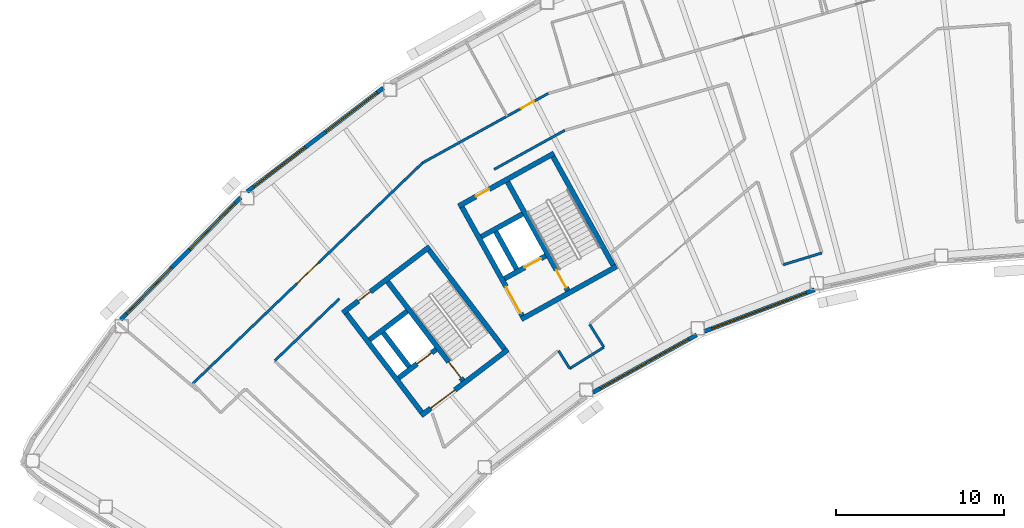
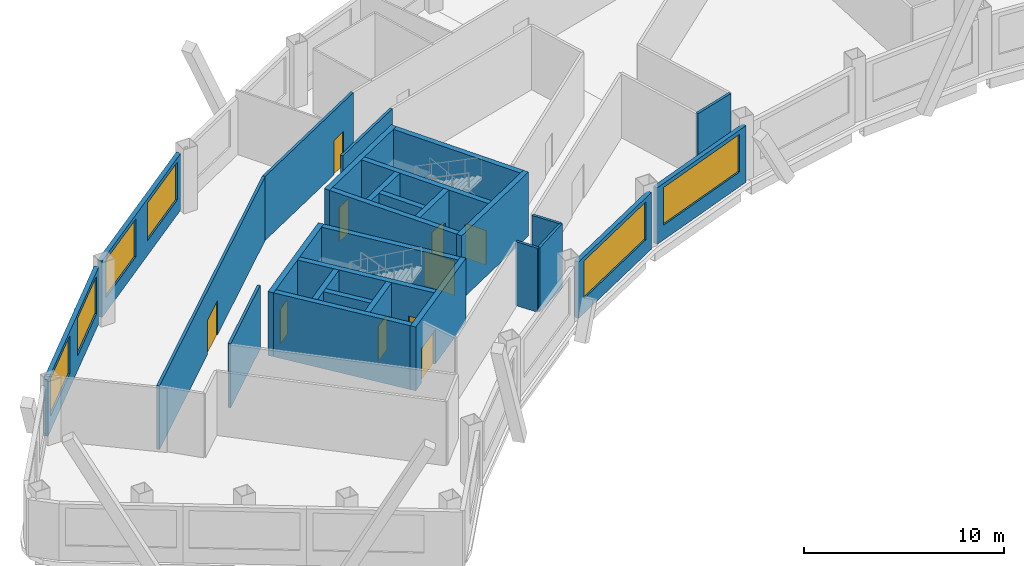
# One storey, part 5 of 12: 28 walls, 10 doors, 6 windows, 16 openings.
"""IFC4 building model written with IfcOpenShell, lengths in metres."""

from ifc_helpers import new_model, si_unit, direction, frame, frame_2d, origin, place, context, subcontext, project, spatial, rectangle, extrude, material, layer, layer_set, type_object, element, fill, save


model = new_model("IFC4")

# Units and contexts
model_context = context("Model", 3, precision=1e-05, world=origin(), true_north=direction((0.0, 1.0)))
body_context = subcontext(model_context, "Body", "Model", "MODEL_VIEW")
ifc_project = project(units=[si_unit("LENGTHUNIT", "METRE"), si_unit("AREAUNIT", "SQUARE_METRE"), si_unit("VOLUMEUNIT", "CUBIC_METRE"), si_unit("PLANEANGLEUNIT", "RADIAN"), si_unit("MASSUNIT", "GRAM", prefix="KILO")], contexts=[model_context])

# Site, building, storey
site_placement = place(None, origin())
site = spatial("IfcSite", under=ifc_project, at=site_placement, CompositionType="ELEMENT")
building_placement = place(site_placement, origin())
building = spatial("IfcBuilding", under=site, at=building_placement, Name="Tuul Gate Civic Tower", CompositionType="ELEMENT")
storey_placement = place(building_placement, frame((0.0, 0.0, 328.10009765625)))
storey = spatial("IfcBuildingStorey", under=building, at=storey_placement, Name="Level 74", CompositionType="ELEMENT", Elevation=328.10009765625)

# Wall, opening, door
ifc_material_1 = material(Name="Concrete C50/60", Category="concrete")
ifc_layer_1 = layer(ifc_material_1, 0.300048828125)
ifc_layer_set_1 = layer_set([ifc_layer_1], Name="Concrete C50/60")
wall_type_1 = type_object("IfcWallType", Name="Core wall C50/60", PredefinedType="SHEAR", material=ifc_layer_set_1)
wall_1_placement = place(storey_placement, frame((-31.19091796875, -13.669677734375, 0.0), z_axis=(0.0, 0.0, 1.0), x_axis=(-0.795606717756, -0.605813461934, 0.0)))
wall_1 = element("IfcWall", 1, at=wall_1_placement, inside=storey, type_object=wall_type_1, Name="Core wall", PredefinedType="SHEAR", context=body_context, shape_type="SweptSolid", body=[
    extrude(rectangle(XDim=6.5, YDim=0.300048828125, at=frame_2d((3.25, 0.0))), origin(), (0.0, 0.0, 1.0), 3.89990234375),
])
opening_1_placement = place(wall_1_placement, frame((3.97509765625, 0.0, 0.0)))
opening_1 = element("IfcOpeningElement", 2, at=opening_1_placement, cuts=wall_1, Name="Opening LB-W1-LOBBY-1", PredefinedType="OPENING", context=body_context, shape_type="SweptSolid", body=[
    extrude(rectangle(XDim=1.800048828125, YDim=2.10009765625, at=frame_2d((0.89990234375, 1.050048828125))), frame((0.0, 0.16015625, 0.0), z_axis=(0.0, -1.0, 0.0), x_axis=(1.0, 0.0, 0.0)), (0.0, 0.0, 1.0), 0.320068359375),
])
ifc_material_2 = material(Name="Steel", Category="steel")
door_type_1 = type_object("IfcDoorType", Name="Lobby door", OperationType="DOUBLE_DOOR_SINGLE_SWING", PredefinedType="DOOR", material=ifc_material_2)
door_1_placement = place(opening_1_placement, origin())
door_1 = element("IfcDoor", 3, at=door_1_placement, inside=storey, type_object=door_type_1, Name="Lobby door W1-LOBBY", OperationType="DOUBLE_DOOR_SINGLE_SWING", OverallHeight=2.10009765625, OverallWidth=1.800048828125, PredefinedType="DOOR", context=body_context, shape_type="SweptSolid", body=[
    extrude(rectangle(XDim=1.800048828125, YDim=2.10009765625, at=frame_2d((0.89990234375, 1.050048828125))), frame((0.0, 0.02490234375, 0.0), z_axis=(0.0, -1.0, 0.0), x_axis=(1.0, 0.0, 0.0)), (0.0, 0.0, 1.0), 0.050048828125),
])
fill(opening_1, door_1)

wall_2_placement = place(storey_placement, frame((-35.470947265625, -13.66064453125, 0.0), z_axis=(0.0, 0.0, 1.0), x_axis=(-0.795615822227, -0.605801504968, 0.0)))
wall_2 = element("IfcWall", 4, at=wall_2_placement, inside=storey, type_object=wall_type_1, Name="Core wall", PredefinedType="SHEAR", context=body_context, shape_type="SweptSolid", body=[
    extrude(rectangle(XDim=2.800048828125, YDim=0.300048828125, at=frame_2d((1.39990234375, 0.0))), origin(), (0.0, 0.0, 1.0), 3.89990234375),
])
opening_2_placement = place(wall_2_placement, frame((0.324951171875, 0.0, 0.0)))
opening_2 = element("IfcOpeningElement", 5, at=opening_2_placement, cuts=wall_2, Name="Opening LD-H1", PredefinedType="OPENING", context=body_context, shape_type="SweptSolid", body=[
    extrude(rectangle(XDim=1.10009765625, YDim=2.10009765625, at=frame_2d((0.550048828125, 1.050048828125))), frame((0.0, 0.16015625, 0.0), z_axis=(0.0, -1.0, 0.0), x_axis=(1.0, 0.0, 0.0)), (0.0, 0.0, 1.0), 0.320068359375),
])
ifc_material_3 = material(Name="Stainless steel", Category="steel")
door_type_2 = type_object("IfcDoorType", Name="Landing door", OperationType="DOUBLE_DOOR_SLIDING", PredefinedType="DOOR", material=ifc_material_3)
door_2_placement = place(opening_2_placement, origin())
door_2 = element("IfcDoor", 6, at=door_2_placement, inside=storey, type_object=door_type_2, Name="High-rise lift H1 landing door", OperationType="DOUBLE_DOOR_SLIDING", OverallHeight=2.10009765625, OverallWidth=1.10009765625, PredefinedType="DOOR", context=body_context, shape_type="SweptSolid", body=[
    extrude(rectangle(XDim=1.10009765625, YDim=2.10009765625, at=frame_2d((0.550048828125, 1.050048828125))), frame((0.0, 0.02490234375, 0.0), z_axis=(0.0, -1.0, 0.0), x_axis=(1.0, 0.0, 0.0)), (0.0, 0.0, 1.0), 0.050048828125),
])
fill(opening_2, door_2)

# Wall
wall_3_placement = place(storey_placement, frame((-37.197509765625, -11.39306640625, 0.0), z_axis=(0.0, 0.0, 1.0), x_axis=(-0.795583820278, -0.605843531707, 0.0)))
element("IfcWall", 7, at=wall_3_placement, inside=storey, type_object=wall_type_1, Name="Core wall", PredefinedType="SHEAR", context=body_context, shape_type="SweptSolid", body=[
    extrude(rectangle(XDim=2.7998046875, YDim=0.300048828125, at=frame_2d((1.39990234375, 0.0))), origin(), (0.0, 0.0, 1.0), 3.89990234375),
])

# Wall, opening, door
wall_4_placement = place(storey_placement, frame((-35.855224609375, -7.543212890625, 0.0), z_axis=(0.0, 0.0, 1.0), x_axis=(-0.79563860527, -0.605771582202, 0.0)))
wall_4 = element("IfcWall", 8, at=wall_4_placement, inside=storey, type_object=wall_type_1, Name="Core wall", PredefinedType="SHEAR", context=body_context, shape_type="SweptSolid", body=[
    extrude(rectangle(XDim=6.5, YDim=0.300048828125, at=frame_2d((3.25, 0.0))), origin(), (0.0, 0.0, 1.0), 3.89990234375),
])
opening_3_placement = place(wall_4_placement, frame((4.425048828125, 0.0, 0.0)))
opening_3 = element("IfcOpeningElement", 9, at=opening_3_placement, cuts=wall_4, Name="Opening AB-D14", PredefinedType="OPENING", context=body_context, shape_type="SweptSolid", body=[
    extrude(rectangle(XDim=0.89990234375, YDim=2.10009765625, at=frame_2d((0.449951171875, 1.050048828125))), frame((0.0, 0.16015625, 0.0), z_axis=(0.0, -1.0, 0.0), x_axis=(1.0, 0.0, 0.0)), (0.0, 0.0, 1.0), 0.320068359375),
])
ifc_material_4 = material(Name="Timber door leaf", Category="wood")
door_type_3 = type_object("IfcDoorType", Name="Door D09", OperationType="NOTDEFINED", PredefinedType="DOOR", material=ifc_material_4)
door_3_placement = place(opening_3_placement, origin())
door_3 = element("IfcDoor", 10, at=door_3_placement, inside=storey, type_object=door_type_3, Name="Door AB-D14", OperationType="SINGLE_SWING_LEFT", OverallHeight=2.10009765625, OverallWidth=0.89990234375, PredefinedType="DOOR", context=body_context, shape_type="SweptSolid", body=[
    extrude(rectangle(XDim=0.89990234375, YDim=2.10009765625, at=frame_2d((0.449951171875, 1.050048828125))), frame((0.0, 0.02490234375, 0.0), z_axis=(0.0, -1.0, 0.0), x_axis=(1.0, 0.0, 0.0)), (0.0, 0.0, 1.0), 0.050048828125),
])
fill(opening_3, door_3)

# Wall
wall_5_placement = place(storey_placement, frame((-31.401123046875, -13.64111328125, 0.0), z_axis=(0.0, 0.0, 1.0), x_axis=(-0.605769822278, 0.795639945213, 0.0)))
element("IfcWall", 11, at=wall_5_placement, inside=storey, type_object=wall_type_1, Name="Core wall", PredefinedType="SHEAR", context=body_context, shape_type="SweptSolid", body=[
    extrude(rectangle(XDim=7.39990234375, YDim=0.300048828125, at=frame_2d((3.699951171875, 0.0))), origin(), (0.0, 0.0, 1.0), 3.89990234375),
])

# Wall, opening, door
wall_6_placement = place(storey_placement, frame((-33.867431640625, -15.51904296875, 0.0), z_axis=(0.0, 0.0, 1.0), x_axis=(-0.605769822278, 0.795639945213, 0.0)))
wall_6 = element("IfcWall", 12, at=wall_6_placement, inside=storey, type_object=wall_type_1, Name="Core wall", PredefinedType="SHEAR", context=body_context, shape_type="SweptSolid", body=[
    extrude(rectangle(XDim=7.39990234375, YDim=0.300048828125, at=frame_2d((3.699951171875, 0.0))), origin(), (0.0, 0.0, 1.0), 3.89990234375),
])
opening_4_placement = place(wall_6_placement, frame((0.199951171875, 0.0, 0.0)))
opening_4 = element("IfcOpeningElement", 13, at=opening_4_placement, cuts=wall_6, Name="Opening SD-ST-1", PredefinedType="OPENING", context=body_context, shape_type="SweptSolid", body=[
    extrude(rectangle(XDim=1.199951171875, YDim=2.10009765625, at=frame_2d((0.60009765625, 1.050048828125))), frame((0.0, 0.16015625, 0.0), z_axis=(0.0, -1.0, 0.0), x_axis=(1.0, 0.0, 0.0)), (0.0, 0.0, 1.0), 0.320068359375),
])
ifc_material_5 = material(Name="Steel", Category="steel")
door_type_4 = type_object("IfcDoorType", Name="Stair door", OperationType="NOTDEFINED", PredefinedType="DOOR", material=ifc_material_5)
door_4_placement = place(opening_4_placement, origin())
door_4 = element("IfcDoor", 14, at=door_4_placement, inside=storey, type_object=door_type_4, Name="Stair door ST-1", OperationType="SINGLE_SWING_LEFT", OverallHeight=2.10009765625, OverallWidth=1.199951171875, PredefinedType="DOOR", context=body_context, shape_type="SweptSolid", body=[
    extrude(rectangle(XDim=1.199951171875, YDim=2.10009765625, at=frame_2d((0.60009765625, 1.050048828125))), frame((0.0, 0.02490234375, 0.0), z_axis=(0.0, -1.0, 0.0), x_axis=(1.0, 0.0, 0.0)), (0.0, 0.0, 1.0), 0.050048828125),
])
fill(opening_4, door_4)

# Walls
wall_7_placement = place(storey_placement, frame((-37.073486328125, -14.6923828125, 0.0), z_axis=(0.0, 0.0, 1.0), x_axis=(-0.605728760074, 0.79567120673, 0.0)))
element("IfcWall", 15, at=wall_7_placement, inside=storey, type_object=wall_type_1, Name="Core wall", PredefinedType="SHEAR", context=body_context, shape_type="SweptSolid", body=[
    extrude(rectangle(XDim=2.550048828125, YDim=0.300048828125, at=frame_2d((1.27490234375, 0.0))), origin(), (0.0, 0.0, 1.0), 3.89990234375),
])
wall_8_placement = place(storey_placement, frame((-36.333984375, -17.397216796875, 0.0), z_axis=(0.0, 0.0, 1.0), x_axis=(-0.605753921168, 0.795652051458, 0.0)))
element("IfcWall", 16, at=wall_8_placement, inside=storey, type_object=wall_type_1, Name="Core wall", PredefinedType="SHEAR", context=body_context, shape_type="SweptSolid", body=[
    extrude(rectangle(XDim=7.400146484375, YDim=0.300048828125, at=frame_2d((3.7001953125, 0.0))), origin(), (0.0, 0.0, 1.0), 3.89990234375),
])
wall_9_placement = place(storey_placement, frame((-24.711669921875, -8.7158203125, 0.0), z_axis=(0.0, 0.0, 1.0), x_axis=(-0.874629909008, -0.484791215132, 0.0)))
element("IfcWall", 17, at=wall_9_placement, inside=storey, type_object=wall_type_1, Name="Core wall", PredefinedType="SHEAR", context=body_context, shape_type="SweptSolid", body=[
    extrude(rectangle(XDim=6.5, YDim=0.300048828125, at=frame_2d((3.25, 0.0))), origin(), (0.0, 0.0, 1.0), 3.89990234375),
])

# Wall, opening, door
wall_10_placement = place(storey_placement, frame((-28.94580078125, -8.090087890625, 0.0), z_axis=(0.0, 0.0, 1.0), x_axis=(-0.874629840737, -0.484791338301, 0.0)))
wall_10 = element("IfcWall", 18, at=wall_10_placement, inside=storey, type_object=wall_type_1, Name="Core wall", PredefinedType="SHEAR", context=body_context, shape_type="SweptSolid", body=[
    extrude(rectangle(XDim=2.800048828125, YDim=0.300048828125, at=frame_2d((1.39990234375, 0.0))), origin(), (0.0, 0.0, 1.0), 3.89990234375),
])
opening_5_placement = place(wall_10_placement, frame((0.324951171875, 0.0, 0.0)))
opening_5 = element("IfcOpeningElement", 19, at=opening_5_placement, cuts=wall_10, Name="Opening LD-FF-1", PredefinedType="OPENING", context=body_context, shape_type="SweptSolid", body=[
    extrude(rectangle(XDim=1.10009765625, YDim=2.10009765625, at=frame_2d((0.550048828125, 1.050048828125))), frame((0.0, 0.16015625, 0.0), z_axis=(0.0, -1.0, 0.0), x_axis=(1.0, 0.0, 0.0)), (0.0, 0.0, 1.0), 0.320068359375),
])
door_5_placement = place(opening_5_placement, origin())
door_5 = element("IfcDoor", 20, at=door_5_placement, inside=storey, type_object=door_type_2, Name="Fire-fighting lift FF-1 landing door", OperationType="DOUBLE_DOOR_SLIDING", OverallHeight=2.10009765625, OverallWidth=1.10009765625, PredefinedType="DOOR", context=body_context, shape_type="SweptSolid", body=[
    extrude(rectangle(XDim=1.10009765625, YDim=2.10009765625, at=frame_2d((0.550048828125, 1.050048828125))), frame((0.0, 0.02490234375, 0.0), z_axis=(0.0, -1.0, 0.0), x_axis=(1.0, 0.0, 0.0)), (0.0, 0.0, 1.0), 0.050048828125),
])
fill(opening_5, door_5)

# Wall
wall_11_placement = place(storey_placement, frame((-30.327392578125, -5.59716796875, 0.0), z_axis=(0.0, 0.0, 1.0), x_axis=(-0.874629840737, -0.484791338301, 0.0)))
element("IfcWall", 21, at=wall_11_placement, inside=storey, type_object=wall_type_1, Name="Core wall", PredefinedType="SHEAR", context=body_context, shape_type="SweptSolid", body=[
    extrude(rectangle(XDim=2.800048828125, YDim=0.300048828125, at=frame_2d((1.39990234375, 0.0))), origin(), (0.0, 0.0, 1.0), 3.89990234375),
])

# Wall, opening, door
wall_12_placement = place(storey_placement, frame((-28.4443359375, -1.98095703125, 0.0), z_axis=(0.0, 0.0, 1.0), x_axis=(-0.874629909008, -0.484791215132, 0.0)))
wall_12 = element("IfcWall", 22, at=wall_12_placement, inside=storey, type_object=wall_type_1, Name="Core wall", PredefinedType="SHEAR", context=body_context, shape_type="SweptSolid", body=[
    extrude(rectangle(XDim=6.5, YDim=0.300048828125, at=frame_2d((3.25, 0.0))), origin(), (0.0, 0.0, 1.0), 3.89990234375),
])
opening_6_placement = place(wall_12_placement, frame((4.425048828125, 0.0, 0.0)))
opening_6 = element("IfcOpeningElement", 23, at=opening_6_placement, cuts=wall_12, Name="Opening AB-D15", PredefinedType="OPENING", context=body_context, shape_type="SweptSolid", body=[
    extrude(rectangle(XDim=0.89990234375, YDim=2.10009765625, at=frame_2d((0.449951171875, 1.050048828125))), frame((0.0, 0.16015625, 0.0), z_axis=(0.0, -1.0, 0.0), x_axis=(1.0, 0.0, 0.0)), (0.0, 0.0, 1.0), 0.320068359375),
])
door_6_placement = place(opening_6_placement, origin())
door_6 = element("IfcDoor", 24, at=door_6_placement, inside=storey, type_object=door_type_3, Name="Door AB-D15", OperationType="SINGLE_SWING_LEFT", OverallHeight=2.10009765625, OverallWidth=0.89990234375, PredefinedType="DOOR", context=body_context, shape_type="SweptSolid", body=[
    extrude(rectangle(XDim=0.89990234375, YDim=2.10009765625, at=frame_2d((0.449951171875, 1.050048828125))), frame((0.0, 0.02490234375, 0.0), z_axis=(0.0, -1.0, 0.0), x_axis=(1.0, 0.0, 0.0)), (0.0, 0.0, 1.0), 0.050048828125),
])
fill(opening_6, door_6)

# Wall
wall_13_placement = place(storey_placement, frame((-24.91552734375, -8.6572265625, 0.0), z_axis=(0.0, 0.0, 1.0), x_axis=(-0.484777133038, 0.874637714304, 0.0)))
element("IfcWall", 25, at=wall_13_placement, inside=storey, type_object=wall_type_1, Name="Core wall", PredefinedType="SHEAR", context=body_context, shape_type="SweptSolid", body=[
    extrude(rectangle(XDim=7.400146484375, YDim=0.300048828125, at=frame_2d((3.7001953125, 0.0))), origin(), (0.0, 0.0, 1.0), 3.89990234375),
])

# Wall, opening, door
wall_14_placement = place(storey_placement, frame((-27.626953125, -10.16015625, 0.0), z_axis=(0.0, 0.0, 1.0), x_axis=(-0.484751894226, 0.874651702704, 0.0)))
wall_14 = element("IfcWall", 26, at=wall_14_placement, inside=storey, type_object=wall_type_1, Name="Core wall", PredefinedType="SHEAR", context=body_context, shape_type="SweptSolid", body=[
    extrude(rectangle(XDim=7.39990234375, YDim=0.300048828125, at=frame_2d((3.699951171875, 0.0))), origin(), (0.0, 0.0, 1.0), 3.89990234375),
])
opening_7_placement = place(wall_14_placement, frame((0.199951171875, 0.0, 0.0)))
opening_7 = element("IfcOpeningElement", 27, at=opening_7_placement, cuts=wall_14, Name="Opening SD-ST-2", PredefinedType="OPENING", context=body_context, shape_type="SweptSolid", body=[
    extrude(rectangle(XDim=1.199951171875, YDim=2.10009765625, at=frame_2d((0.60009765625, 1.050048828125))), frame((0.0, 0.16015625, 0.0), z_axis=(0.0, -1.0, 0.0), x_axis=(1.0, 0.0, 0.0)), (0.0, 0.0, 1.0), 0.320068359375),
])
door_7_placement = place(opening_7_placement, origin())
door_7 = element("IfcDoor", 28, at=door_7_placement, inside=storey, type_object=door_type_4, Name="Stair door ST-2", OperationType="SINGLE_SWING_LEFT", OverallHeight=2.10009765625, OverallWidth=1.199951171875, PredefinedType="DOOR", context=body_context, shape_type="SweptSolid", body=[
    extrude(rectangle(XDim=1.199951171875, YDim=2.10009765625, at=frame_2d((0.60009765625, 1.050048828125))), frame((0.0, 0.02490234375, 0.0), z_axis=(0.0, -1.0, 0.0), x_axis=(1.0, 0.0, 0.0)), (0.0, 0.0, 1.0), 0.050048828125),
])
fill(opening_7, door_7)

# Wall
wall_15_placement = place(storey_placement, frame((-30.680419921875, -8.8798828125, 0.0), z_axis=(0.0, 0.0, 1.0), x_axis=(-0.484724115216, 0.874667097888, 0.0)))
element("IfcWall", 29, at=wall_15_placement, inside=storey, type_object=wall_type_1, Name="Core wall", PredefinedType="SHEAR", context=body_context, shape_type="SweptSolid", body=[
    extrude(rectangle(XDim=2.550048828125, YDim=0.300048828125, at=frame_2d((1.27490234375, 0.0))), origin(), (0.0, 0.0, 1.0), 3.89990234375),
])

# Wall, opening, door
wall_16_placement = place(storey_placement, frame((-30.33837890625, -11.6630859375, 0.0), z_axis=(0.0, 0.0, 1.0), x_axis=(-0.484751894226, 0.874651702704, 0.0)))
wall_16 = element("IfcWall", 30, at=wall_16_placement, inside=storey, type_object=wall_type_1, Name="Core wall", PredefinedType="SHEAR", context=body_context, shape_type="SweptSolid", body=[
    extrude(rectangle(XDim=7.39990234375, YDim=0.300048828125, at=frame_2d((3.699951171875, 0.0))), origin(), (0.0, 0.0, 1.0), 3.89990234375),
])
opening_8_placement = place(wall_16_placement, frame((0.175048828125, 0.0, 0.0)))
opening_8 = element("IfcOpeningElement", 31, at=opening_8_placement, cuts=wall_16, Name="Opening LB-W2-FLOBBY-1", PredefinedType="OPENING", context=body_context, shape_type="SweptSolid", body=[
    extrude(rectangle(XDim=1.800048828125, YDim=2.10009765625, at=frame_2d((0.89990234375, 1.050048828125))), frame((0.0, 0.16015625, 0.0), z_axis=(0.0, -1.0, 0.0), x_axis=(1.0, 0.0, 0.0)), (0.0, 0.0, 1.0), 0.320068359375),
])
door_8_placement = place(opening_8_placement, origin())
door_8 = element("IfcDoor", 32, at=door_8_placement, inside=storey, type_object=door_type_1, Name="Lobby door W2-FLOBBY", OperationType="DOUBLE_DOOR_SINGLE_SWING", OverallHeight=2.10009765625, OverallWidth=1.800048828125, PredefinedType="DOOR", context=body_context, shape_type="SweptSolid", body=[
    extrude(rectangle(XDim=1.800048828125, YDim=2.10009765625, at=frame_2d((0.89990234375, 1.050048828125))), frame((0.0, 0.02490234375, 0.0), z_axis=(0.0, -1.0, 0.0), x_axis=(1.0, 0.0, 0.0)), (0.0, 0.0, 1.0), 0.050048828125),
])
fill(opening_8, door_8)

ifc_material_6 = material(Name="Gypsum board partition")
ifc_layer_2 = layer(ifc_material_6, 0.14990234375)
ifc_layer_set_2 = layer_set([ifc_layer_2], Name="Gypsum board partition")
wall_type_2 = type_object("IfcWallType", Name="Corridor wall P150", PredefinedType="PARTITIONING", material=ifc_layer_set_2)
wall_17_placement = place(storey_placement, frame((-36.273193359375, -2.5517578125, 0.0), z_axis=(0.0, 0.0, 1.0), x_axis=(0.875264133396, 0.483645217892, 0.0)))
wall_17 = element("IfcWall", 33, at=wall_17_placement, inside=storey, type_object=wall_type_2, Name="p028", PredefinedType="PARTITIONING", context=body_context, shape_type="SweptSolid", body=[
    extrude(rectangle(XDim=8.545166015625, YDim=0.14990234375, at=frame_2d((4.2724609375, 0.0))), origin(), (0.0, 0.0, 1.0), 3.89990234375),
])
opening_9_placement = place(wall_17_placement, frame((6.68603515625, 0.0, 0.0)))
opening_9 = element("IfcOpeningElement", 34, at=opening_9_placement, cuts=wall_17, Name="Opening AB-D12", PredefinedType="OPENING", context=body_context, shape_type="SweptSolid", body=[
    extrude(rectangle(XDim=0.89990234375, YDim=2.10009765625, at=frame_2d((0.449951171875, 1.050048828125))), frame((0.0, 0.0849609375, 0.0), z_axis=(0.0, -1.0, 0.0), x_axis=(1.0, 0.0, 0.0)), (0.0, 0.0, 1.0), 0.169921875),
])
door_9_placement = place(opening_9_placement, origin())
door_9 = element("IfcDoor", 35, at=door_9_placement, inside=storey, type_object=door_type_3, Name="Door AB-D12", OperationType="SINGLE_SWING_LEFT", OverallHeight=2.10009765625, OverallWidth=0.89990234375, PredefinedType="DOOR", context=body_context, shape_type="SweptSolid", body=[
    extrude(rectangle(XDim=0.89990234375, YDim=2.10009765625, at=frame_2d((0.449951171875, 1.050048828125))), frame((0.0, 0.02490234375, 0.0), z_axis=(0.0, -1.0, 0.0), x_axis=(1.0, 0.0, 0.0)), (0.0, 0.0, 1.0), 0.050048828125),
])
fill(opening_9, door_9)

wall_18_placement = place(storey_placement, frame((-49.96337890625, -15.701416015625, 0.0), z_axis=(0.0, 0.0, 1.0), x_axis=(0.721200960426, 0.692725901552, 0.0)))
wall_18 = element("IfcWall", 36, at=wall_18_placement, inside=storey, type_object=wall_type_2, Name="p029", PredefinedType="PARTITIONING", context=body_context, shape_type="SweptSolid", body=[
    extrude(rectangle(XDim=18.982421875, YDim=0.14990234375, at=frame_2d((9.4912109375, 0.0))), origin(), (0.0, 0.0, 1.0), 3.89990234375),
])
opening_10_placement = place(wall_18_placement, frame((8.59130859375, 0.0, 0.0)))
opening_10 = element("IfcOpeningElement", 37, at=opening_10_placement, cuts=wall_18, Name="Opening AB-D05", PredefinedType="OPENING", context=body_context, shape_type="SweptSolid", body=[
    extrude(rectangle(XDim=1.800048828125, YDim=2.10009765625, at=frame_2d((0.89990234375, 1.050048828125))), frame((0.0, 0.0849609375, 0.0), z_axis=(0.0, -1.0, 0.0), x_axis=(1.0, 0.0, 0.0)), (0.0, 0.0, 1.0), 0.169921875),
])
ifc_material_7 = material(Name="Timber door leaf, double", Category="wood")
door_type_5 = type_object("IfcDoorType", Name="Door D18", OperationType="DOUBLE_DOOR_SINGLE_SWING", PredefinedType="DOOR", material=ifc_material_7)
door_10_placement = place(opening_10_placement, origin())
door_10 = element("IfcDoor", 38, at=door_10_placement, inside=storey, type_object=door_type_5, Name="Door AB-D05", OperationType="DOUBLE_DOOR_SINGLE_SWING", OverallHeight=2.10009765625, OverallWidth=1.800048828125, PredefinedType="DOOR", context=body_context, shape_type="SweptSolid", body=[
    extrude(rectangle(XDim=1.800048828125, YDim=2.10009765625, at=frame_2d((0.89990234375, 1.050048828125))), frame((0.0, 0.02490234375, 0.0), z_axis=(0.0, -1.0, 0.0), x_axis=(1.0, 0.0, 0.0)), (0.0, 0.0, 1.0), 0.050048828125),
])
fill(opening_10, door_10)

# Walls
wall_19_placement = place(storey_placement, frame((-45.06982421875, -14.32861328125, 0.0), z_axis=(0.0, 0.0, 1.0), x_axis=(0.721217580517, 0.692708597863, 0.0)))
element("IfcWall", 39, at=wall_19_placement, inside=storey, type_object=wall_type_2, Name="p050", PredefinedType="PARTITIONING", context=body_context, shape_type="SweptSolid", body=[
    extrude(rectangle(XDim=5.318115234375, YDim=0.14990234375, at=frame_2d((2.6591796875, 0.0))), origin(), (0.0, 0.0, 1.0), 3.89990234375),
])
wall_20_placement = place(storey_placement, frame((-28.170654296875, -13.744873046875, 0.0), z_axis=(0.0, 0.0, 1.0), x_axis=(0.529875724893, -0.848075301002, 0.0)))
element("IfcWall", 40, at=wall_20_placement, inside=storey, type_object=wall_type_2, Name="p058", PredefinedType="PARTITIONING", context=body_context, shape_type="SweptSolid", body=[
    extrude(rectangle(XDim=1.246826171875, YDim=0.14990234375, at=frame_2d((0.62353515625, 0.0))), origin(), (0.0, 0.0, 1.0), 3.89990234375),
])
wall_21_placement = place(storey_placement, frame((-27.510009765625, -14.80224609375, 0.0), z_axis=(0.0, 0.0, 1.0), x_axis=(0.848072588448, 0.529880066358, 0.0)))
element("IfcWall", 41, at=wall_21_placement, inside=storey, type_object=wall_type_2, Name="p059", PredefinedType="PARTITIONING", context=body_context, shape_type="SweptSolid", body=[
    extrude(rectangle(XDim=2.400146484375, YDim=0.14990234375, at=frame_2d((1.2001953125, 0.0))), origin(), (0.0, 0.0, 1.0), 3.89990234375),
])
wall_22_placement = place(storey_placement, frame((-26.32470703125, -12.169921875, 0.0), z_axis=(0.0, 0.0, 1.0), x_axis=(0.529875825978, -0.848075237844, 0.0)))
element("IfcWall", 42, at=wall_22_placement, inside=storey, type_object=wall_type_2, Name="p060", PredefinedType="PARTITIONING", context=body_context, shape_type="SweptSolid", body=[
    extrude(rectangle(XDim=1.604248046875, YDim=0.14990234375, at=frame_2d((0.80224609375, 0.0))), origin(), (0.0, 0.0, 1.0), 3.89990234375),
])
wall_23_placement = place(storey_placement, frame((-14.793212890625, -8.619384765625, 0.0), z_axis=(0.0, 0.0, 1.0), x_axis=(0.956309708568, 0.292355504991, 0.0)))
element("IfcWall", 43, at=wall_23_placement, inside=storey, type_object=wall_type_2, Name="p063", PredefinedType="PARTITIONING", context=body_context, shape_type="SweptSolid", body=[
    extrude(rectangle(XDim=2.39990234375, YDim=0.14990234375, at=frame_2d((1.199951171875, 0.0))), origin(), (0.0, 0.0, 1.0), 3.89990234375),
])
wall_24_placement = place(storey_placement, frame((-32.012939453125, -2.939697265625, 0.0), z_axis=(0.0, 0.0, 1.0), x_axis=(0.875276121577, 0.483623521964, 0.0)))
element("IfcWall", 44, at=wall_24_placement, inside=storey, type_object=wall_type_2, Name="p073", PredefinedType="PARTITIONING", context=body_context, shape_type="SweptSolid", body=[
    extrude(rectangle(XDim=4.796875, YDim=0.14990234375, at=frame_2d((2.3984375, 0.0))), origin(), (0.0, 0.0, 1.0), 3.89990234375),
])

# Wall, openings, windows
ifc_material_8 = material(Name="Precast concrete C40/50", Category="concrete")
ifc_layer_3 = layer(ifc_material_8, 0.25)
ifc_layer_set_3 = layer_set([ifc_layer_3], Name="Precast concrete C40/50")
wall_type_3 = type_object("IfcWallType", Name="External wall", PredefinedType="STANDARD", material=ifc_layer_set_3)
wall_25_placement = place(storey_placement, frame((-38.610107421875, 1.909423828125, 0.0), z_axis=(0.0, 0.0, 1.0), x_axis=(-0.795611005019, -0.605807831488, 0.0)))
wall_25 = element("IfcWall", 45, at=wall_25_placement, inside=storey, type_object=wall_type_3, Name="External wall", PredefinedType="STANDARD", context=body_context, shape_type="SweptSolid", body=[
    extrude(rectangle(XDim=10.188720703125, YDim=0.25, at=frame_2d((5.09423828125, 0.0))), origin(), (0.0, 0.0, 1.0), 3.449951171875),
])
opening_11_placement = place(wall_25_placement, frame((0.47314453125, 0.0, 0.89990234375)))
opening_11 = element("IfcOpeningElement", 46, at=opening_11_placement, cuts=wall_25, Name="Opening W22", PredefinedType="OPENING", context=body_context, shape_type="SweptSolid", body=[
    extrude(rectangle(XDim=3.85009765625, YDim=2.300048828125, at=frame_2d((1.925048828125, 1.14990234375))), frame((0.0, 0.135009765625, 0.0), z_axis=(0.0, -1.0, 0.0), x_axis=(1.0, 0.0, 0.0)), (0.0, 0.0, 1.0), 0.27001953125),
])
opening_12_placement = place(wall_25_placement, frame((5.844482421875, 0.0, 0.89990234375)))
opening_12 = element("IfcOpeningElement", 47, at=opening_12_placement, cuts=wall_25, Name="Opening W22", PredefinedType="OPENING", context=body_context, shape_type="SweptSolid", body=[
    extrude(rectangle(XDim=3.85009765625, YDim=2.300048828125, at=frame_2d((1.925048828125, 1.14990234375))), frame((0.0, 0.135009765625, 0.0), z_axis=(0.0, -1.0, 0.0), x_axis=(1.0, 0.0, 0.0)), (0.0, 0.0, 1.0), 0.27001953125),
])
ifc_material_9 = material(Name="Glass", Category="glass")
window_type_1 = type_object("IfcWindowType", Name="Window W22 3850 x 2300", PartitioningType="SINGLE_PANEL", PredefinedType="WINDOW", material=ifc_material_9)
window_1_placement = place(opening_11_placement, origin())
window_1 = element("IfcWindow", 48, at=window_1_placement, inside=storey, type_object=window_type_1, Name="Window", OverallHeight=2.300048828125, OverallWidth=3.85009765625, PartitioningType="SINGLE_PANEL", PredefinedType="WINDOW", context=body_context, shape_type="SweptSolid", body=[
    extrude(rectangle(XDim=3.85009765625, YDim=2.300048828125, at=frame_2d((1.925048828125, 1.14990234375))), frame((0.0, 0.030029296875, 0.0), z_axis=(0.0, -1.0, 0.0), x_axis=(1.0, 0.0, 0.0)), (0.0, 0.0, 1.0), 0.06005859375),
])
fill(opening_11, window_1)
window_2_placement = place(opening_12_placement, origin())
window_2 = element("IfcWindow", 49, at=window_2_placement, inside=storey, type_object=window_type_1, Name="Window", OverallHeight=2.300048828125, OverallWidth=3.85009765625, PartitioningType="SINGLE_PANEL", PredefinedType="WINDOW", context=body_context, shape_type="SweptSolid", body=[
    extrude(rectangle(XDim=3.85009765625, YDim=2.300048828125, at=frame_2d((1.925048828125, 1.14990234375))), frame((0.0, 0.030029296875, 0.0), z_axis=(0.0, -1.0, 0.0), x_axis=(1.0, 0.0, 0.0)), (0.0, 0.0, 1.0), 0.06005859375),
])
fill(opening_12, window_2)

wall_26_placement = place(storey_placement, frame((-47.10595703125, -4.607666015625, 0.0), z_axis=(0.0, 0.0, 1.0), x_axis=(-0.700055609081, -0.714088330807, 0.0)))
wall_26 = element("IfcWall", 50, at=wall_26_placement, inside=storey, type_object=wall_type_3, Name="External wall", PredefinedType="STANDARD", context=body_context, shape_type="SweptSolid", body=[
    extrude(rectangle(XDim=10.1953125, YDim=0.25, at=frame_2d((5.09765625, 0.0))), origin(), (0.0, 0.0, 1.0), 3.449951171875),
])
opening_13_placement = place(wall_26_placement, frame((0.4873046875, 0.0, 0.89990234375)))
opening_13 = element("IfcOpeningElement", 51, at=opening_13_placement, cuts=wall_26, Name="Opening W22", PredefinedType="OPENING", context=body_context, shape_type="SweptSolid", body=[
    extrude(rectangle(XDim=3.85009765625, YDim=2.300048828125, at=frame_2d((1.925048828125, 1.14990234375))), frame((0.0, 0.135009765625, 0.0), z_axis=(0.0, -1.0, 0.0), x_axis=(1.0, 0.0, 0.0)), (0.0, 0.0, 1.0), 0.27001953125),
])
opening_14_placement = place(wall_26_placement, frame((5.8583984375, 0.0, 0.89990234375)))
opening_14 = element("IfcOpeningElement", 52, at=opening_14_placement, cuts=wall_26, Name="Opening W22", PredefinedType="OPENING", context=body_context, shape_type="SweptSolid", body=[
    extrude(rectangle(XDim=3.85009765625, YDim=2.300048828125, at=frame_2d((1.925048828125, 1.14990234375))), frame((0.0, 0.135009765625, 0.0), z_axis=(0.0, -1.0, 0.0), x_axis=(1.0, 0.0, 0.0)), (0.0, 0.0, 1.0), 0.27001953125),
])
window_3_placement = place(opening_13_placement, origin())
window_3 = element("IfcWindow", 53, at=window_3_placement, inside=storey, type_object=window_type_1, Name="Window", OverallHeight=2.300048828125, OverallWidth=3.85009765625, PartitioningType="SINGLE_PANEL", PredefinedType="WINDOW", context=body_context, shape_type="SweptSolid", body=[
    extrude(rectangle(XDim=3.85009765625, YDim=2.300048828125, at=frame_2d((1.925048828125, 1.14990234375))), frame((0.0, 0.030029296875, 0.0), z_axis=(0.0, -1.0, 0.0), x_axis=(1.0, 0.0, 0.0)), (0.0, 0.0, 1.0), 0.06005859375),
])
fill(opening_13, window_3)
window_4_placement = place(opening_14_placement, origin())
window_4 = element("IfcWindow", 54, at=window_4_placement, inside=storey, type_object=window_type_1, Name="Window", OverallHeight=2.300048828125, OverallWidth=3.85009765625, PartitioningType="SINGLE_PANEL", PredefinedType="WINDOW", context=body_context, shape_type="SweptSolid", body=[
    extrude(rectangle(XDim=3.85009765625, YDim=2.300048828125, at=frame_2d((1.925048828125, 1.14990234375))), frame((0.0, 0.030029296875, 0.0), z_axis=(0.0, -1.0, 0.0), x_axis=(1.0, 0.0, 0.0)), (0.0, 0.0, 1.0), 0.06005859375),
])
fill(opening_14, window_4)

# Wall, opening, window
wall_27_placement = place(storey_placement, frame((-26.135009765625, -16.226318359375, 0.0), z_axis=(0.0, 0.0, 1.0), x_axis=(0.874614232828, 0.484819496034, 0.0)))
wall_27 = element("IfcWall", 55, at=wall_27_placement, inside=storey, type_object=wall_type_3, Name="External wall", PredefinedType="STANDARD", context=body_context, shape_type="SweptSolid", body=[
    extrude(rectangle(XDim=7.07568359375, YDim=0.25, at=frame_2d((3.537841796875, 0.0))), origin(), (0.0, 0.0, 1.0), 3.449951171875),
])
opening_15_placement = place(wall_27_placement, frame((0.51904296875, 0.0, 0.89990234375)))
opening_15 = element("IfcOpeningElement", 56, at=opening_15_placement, cuts=wall_27, Name="Opening W26", PredefinedType="OPENING", context=body_context, shape_type="SweptSolid", body=[
    extrude(rectangle(XDim=6.0, YDim=2.300048828125, at=frame_2d((3.0, 1.14990234375))), frame((0.0, 0.135009765625, 0.0), z_axis=(0.0, -1.0, 0.0), x_axis=(1.0, 0.0, 0.0)), (0.0, 0.0, 1.0), 0.27001953125),
])
ifc_material_10 = material(Name="Glass", Category="glass")
window_type_2 = type_object("IfcWindowType", Name="Window W26 6000 x 2300", PartitioningType="SINGLE_PANEL", PredefinedType="WINDOW", material=ifc_material_10)
window_5_placement = place(opening_15_placement, origin())
window_5 = element("IfcWindow", 57, at=window_5_placement, inside=storey, type_object=window_type_2, Name="Window", OverallHeight=2.300048828125, OverallWidth=6.0, PartitioningType="SINGLE_PANEL", PredefinedType="WINDOW", context=body_context, shape_type="SweptSolid", body=[
    extrude(rectangle(XDim=6.0, YDim=2.300048828125, at=frame_2d((3.0, 1.14990234375))), frame((0.0, 0.030029296875, 0.0), z_axis=(0.0, -1.0, 0.0), x_axis=(1.0, 0.0, 0.0)), (0.0, 0.0, 1.0), 0.06005859375),
])
fill(opening_15, window_5)

wall_28_placement = place(storey_placement, frame((-19.4951171875, -12.592041015625, 0.0), z_axis=(0.0, 0.0, 1.0), x_axis=(0.935367772721, 0.353676589209, 0.0)))
wall_28 = element("IfcWall", 58, at=wall_28_placement, inside=storey, type_object=wall_type_3, Name="External wall", PredefinedType="STANDARD", context=body_context, shape_type="SweptSolid", body=[
    extrude(rectangle(XDim=7.017578125, YDim=0.25, at=frame_2d((3.5087890625, 0.0))), origin(), (0.0, 0.0, 1.0), 3.449951171875),
])
opening_16_placement = place(wall_28_placement, frame((0.491455078125, 0.0, 0.89990234375)))
opening_16 = element("IfcOpeningElement", 59, at=opening_16_placement, cuts=wall_28, Name="Opening W26", PredefinedType="OPENING", context=body_context, shape_type="SweptSolid", body=[
    extrude(rectangle(XDim=6.0, YDim=2.300048828125, at=frame_2d((3.0, 1.14990234375))), frame((0.0, 0.135009765625, 0.0), z_axis=(0.0, -1.0, 0.0), x_axis=(1.0, 0.0, 0.0)), (0.0, 0.0, 1.0), 0.27001953125),
])
window_6_placement = place(opening_16_placement, origin())
window_6 = element("IfcWindow", 60, at=window_6_placement, inside=storey, type_object=window_type_2, Name="Window", OverallHeight=2.300048828125, OverallWidth=6.0, PartitioningType="SINGLE_PANEL", PredefinedType="WINDOW", context=body_context, shape_type="SweptSolid", body=[
    extrude(rectangle(XDim=6.0, YDim=2.300048828125, at=frame_2d((3.0, 1.14990234375))), frame((0.0, 0.030029296875, 0.0), z_axis=(0.0, -1.0, 0.0), x_axis=(1.0, 0.0, 0.0)), (0.0, 0.0, 1.0), 0.06005859375),
])
fill(opening_16, window_6)

save(model, "model.ifc")
